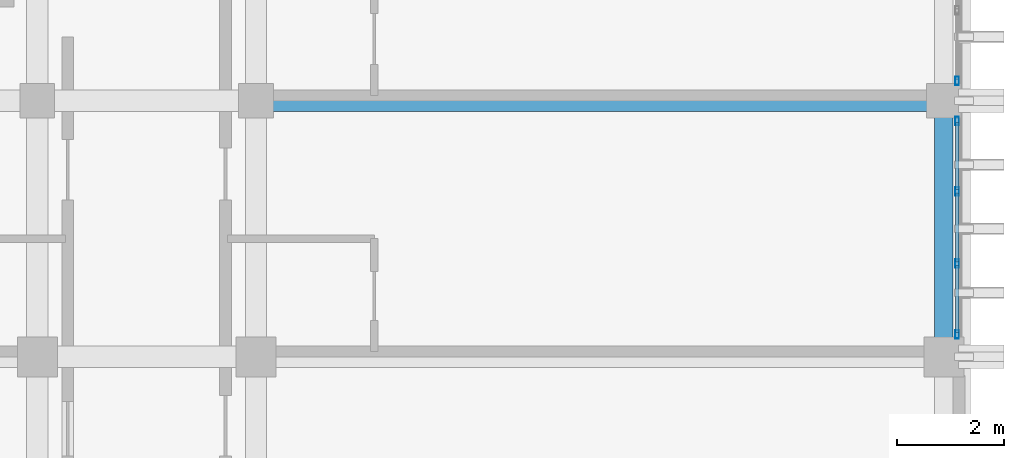
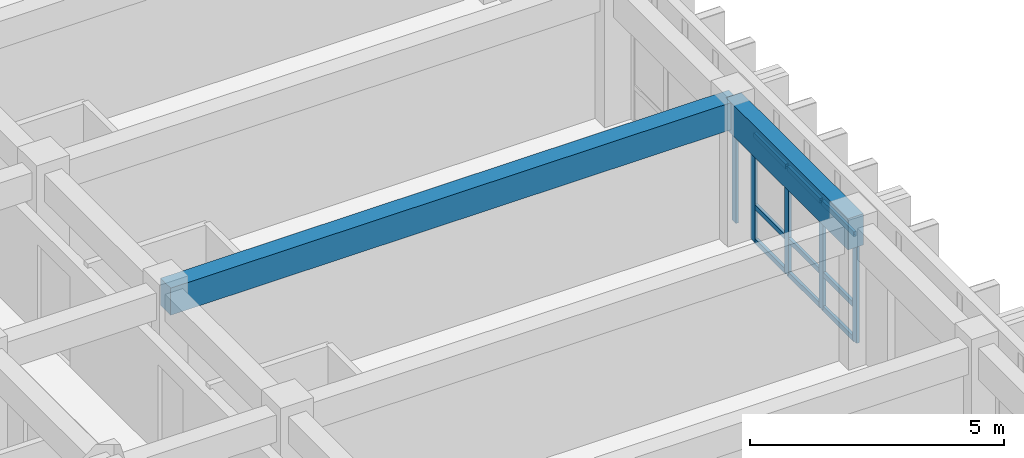
# One storey, part 22 of 64: 14 members, 2 beams, 2 elements without a shape of their own.
"""IFC4 building model written with IfcOpenShell, lengths in metres."""

from ifc_helpers import new_model, si_unit, direction, frame, origin, origin_2d, place, context, subcontext, project, spatial, rectangle, hollow_rectangle, extrude, material, layer, layer_set, material_profile, profile_set, type_object, element, aggregate, save


model = new_model("IFC4")

# Units and contexts
model_context = context("Model", 3, precision=1e-05, world=origin(), true_north=direction((0.0, 1.0)))
body_context = subcontext(model_context, "Body", "Model", "MODEL_VIEW")
ifc_project = project(units=[si_unit("LENGTHUNIT", "METRE"), si_unit("AREAUNIT", "SQUARE_METRE"), si_unit("VOLUMEUNIT", "CUBIC_METRE"), si_unit("PLANEANGLEUNIT", "RADIAN"), si_unit("MASSUNIT", "GRAM", prefix="KILO")], contexts=[model_context])

# Site, building, storey
site_placement = place(None, origin())
site = spatial("IfcSite", under=ifc_project, at=site_placement, CompositionType="ELEMENT")
building_placement = place(site_placement, origin())
building = spatial("IfcBuilding", under=site, at=building_placement, Name="Nakhvara Creek Congress Hotel", CompositionType="ELEMENT")
storey_placement = place(building_placement, frame((0.0, 0.0, 28.199951171875)))
storey = spatial("IfcBuildingStorey", under=building, at=storey_placement, Name="L06", CompositionType="ELEMENT", Elevation=28.199951171875)

# Beams
ifc_material_1 = material(Name="Concrete C40/50", Category="concrete")
ifc_material_profile_1 = material_profile(ifc_material_1, rectangle(XDim=0.39990234375, YDim=0.64990234375, at=origin_2d()), Name="RC-BM 400x650", Category="LoadBearing")
ifc_profile_set_1 = profile_set([ifc_material_profile_1], Name="Concrete C40/50")
beam_type_1 = type_object("IfcBeamType", Name="BM-RC-400X650", PredefinedType="BEAM", material=ifc_profile_set_1)
beam_1_placement = place(storey_placement, frame((166.449951171875, 72.0, 3.01513671875), z_axis=(1.0, 0.0, 0.0), x_axis=(0.0, 1.0, 0.0)))
element("IfcBeam", 1, at=beam_1_placement, inside=storey, type_object=beam_type_1, Name="Beam B06-L06-2312", PredefinedType="BEAM", context=body_context, shape_type="SweptSolid", body=[
    extrude(rectangle(XDim=0.39990234375, YDim=0.64990234375, at=origin_2d()), origin(), (0.0, 0.0, 1.0), 12.900146484375),
])
ifc_material_profile_2 = material_profile(ifc_material_1, rectangle(XDim=0.35009765625, YDim=0.75, at=origin_2d()), Name="RC-SPANDREL 350x750", Category="LoadBearing")
ifc_profile_set_2 = profile_set([ifc_material_profile_2], Name="Concrete C40/50")
beam_type_2 = type_object("IfcBeamType", Name="BM-SPN-350X750", PredefinedType="SPANDREL", material=ifc_profile_set_2)
beam_2_placement = place(storey_placement, frame((179.35009765625, 67.199951171875, 2.965087890625), z_axis=(0.0, 1.0, 0.0), x_axis=(-1.0, 0.0, 0.0)))
element("IfcBeam", 2, at=beam_2_placement, inside=storey, type_object=beam_type_2, Name="Beam SP1-L06-2281", PredefinedType="SPANDREL", context=body_context, shape_type="SweptSolid", body=[
    extrude(rectangle(XDim=0.35009765625, YDim=0.75, at=origin_2d()), origin(), (0.0, 0.0, 1.0), 4.800048828125),
])

# Curtain wall, members
ifc_material_2 = material(Name="Bronze-anodised aluminium AW-6063-T6 and double-silver low-E glass", Category="aluminium")
ifc_layer = layer(ifc_material_2, 0.199951171875)
ifc_layer_set = layer_set([ifc_layer], Name="Bronze-anodised aluminium AW-6063-T6 and double-silver low-E glass")
curtain_wall_type = type_object("IfcCurtainWallType", Name="CW-HTL-UNIT", PredefinedType="USERDEFINED", material=ifc_layer_set)
curtain_wall_1_placement = place(storey_placement, origin())
curtain_wall_1 = element("IfcCurtainWall", 3, at=curtain_wall_1_placement, inside=storey, type_object=curtain_wall_type, Name="Curtain Wall CW237", ObjectType="UNITISED", PredefinedType="USERDEFINED")
ifc_material_3 = material(Name="Bronze-anodised aluminium AW-6063-T6", Category="aluminium")
ifc_material_profile_3 = material_profile(ifc_material_3, hollow_rectangle(XDim=0.06494140625, YDim=0.159912109375, WallThickness=0.00390625, at=origin_2d()), Name="ALU-MULL 65x160x4", Category="LoadBearing")
ifc_profile_set_3 = profile_set([ifc_material_profile_3], Name="Bronze-anodised aluminium AW-6063-T6")
member_type_1 = type_object("IfcMemberType", Name="CW-MULL-160", PredefinedType="MULLION", material=ifc_profile_set_3)
member_1_placement = place(storey_placement, frame((179.60009765625, 71.62744140625, 0.0), z_axis=(0.0, 0.0, 1.0), x_axis=(1.0, 0.0, 0.0)))
member_1 = element("IfcMember", 4, at=member_1_placement, type_object=member_type_1, Name="CW237 mullion 1", PredefinedType="MULLION", context=body_context, shape_type="SweptSolid", body=[
    extrude(hollow_rectangle(XDim=0.06494140625, YDim=0.159912109375, WallThickness=0.00390625, at=origin_2d()), origin(), (0.0, 0.0, 1.0), 2.58203125),
])
member_2_placement = place(storey_placement, frame((179.60009765625, 70.30322265625, 0.0), z_axis=(0.0, 0.0, 1.0), x_axis=(1.0, 0.0, 0.0)))
member_2 = element("IfcMember", 5, at=member_2_placement, type_object=member_type_1, Name="CW237 mullion 2", PredefinedType="MULLION", context=body_context, shape_type="SweptSolid", body=[
    extrude(hollow_rectangle(XDim=0.06494140625, YDim=0.159912109375, WallThickness=0.00390625, at=origin_2d()), origin(), (0.0, 0.0, 1.0), 2.58203125),
])
member_3_placement = place(storey_placement, frame((179.60009765625, 68.94677734375, 0.0), z_axis=(0.0, 0.0, 1.0), x_axis=(1.0, 0.0, 0.0)))
member_3 = element("IfcMember", 6, at=member_3_placement, type_object=member_type_1, Name="CW237 mullion 3", PredefinedType="MULLION", context=body_context, shape_type="SweptSolid", body=[
    extrude(hollow_rectangle(XDim=0.06494140625, YDim=0.159912109375, WallThickness=0.00390625, at=origin_2d()), origin(), (0.0, 0.0, 1.0), 2.58203125),
])
member_4_placement = place(storey_placement, frame((179.60009765625, 67.62255859375, 0.0), z_axis=(0.0, 0.0, 1.0), x_axis=(1.0, 0.0, 0.0)))
member_4 = element("IfcMember", 7, at=member_4_placement, type_object=member_type_1, Name="CW237 mullion 4", PredefinedType="MULLION", context=body_context, shape_type="SweptSolid", body=[
    extrude(hollow_rectangle(XDim=0.06494140625, YDim=0.159912109375, WallThickness=0.00390625, at=origin_2d()), origin(), (0.0, 0.0, 1.0), 2.58203125),
])

# Curtain wall, member
curtain_wall_2_placement = place(storey_placement, origin())
curtain_wall_2 = element("IfcCurtainWall", 8, at=curtain_wall_2_placement, inside=storey, type_object=curtain_wall_type, Name="Curtain Wall CW239", ObjectType="UNITISED", PredefinedType="USERDEFINED")
member_5_placement = place(storey_placement, frame((179.60009765625, 72.37255859375, 0.0), z_axis=(0.0, 0.0, 1.0), x_axis=(1.0, 0.0, 0.0)))
member_5 = element("IfcMember", 9, at=member_5_placement, type_object=member_type_1, Name="CW239 mullion 4", PredefinedType="MULLION", context=body_context, shape_type="SweptSolid", body=[
    extrude(hollow_rectangle(XDim=0.06494140625, YDim=0.159912109375, WallThickness=0.00390625, at=origin_2d()), origin(), (0.0, 0.0, 1.0), 2.58203125),
])
aggregate(curtain_wall_2, [member_5])

# Member
ifc_material_profile_4 = material_profile(ifc_material_3, hollow_rectangle(XDim=0.06494140625, YDim=0.1201171875, WallThickness=0.00390625, at=origin_2d()), Name="ALU-TRAN 65x120x4", Category="LoadBearing")
ifc_profile_set_4 = profile_set([ifc_material_profile_4], Name="Bronze-anodised aluminium AW-6063-T6")
member_type_2 = type_object("IfcMemberType", Name="CW-TRAN-120", PredefinedType="USERDEFINED", material=ifc_profile_set_4)
member_6_placement = place(storey_placement, frame((179.60009765625, 71.594970703125, 0.032470703125), z_axis=(0.0, -1.0, 0.0), x_axis=(1.0, 0.0, 0.0)))
member_6 = element("IfcMember", 10, at=member_6_placement, type_object=member_type_2, Name="CW237 transom 1.1", ObjectType="TRANSOM", PredefinedType="USERDEFINED", context=body_context, shape_type="SweptSolid", body=[
    extrude(hollow_rectangle(XDim=0.06494140625, YDim=0.1201171875, WallThickness=0.00390625, at=origin_2d()), origin(), (0.0, 0.0, 1.0), 1.259033203125),
])

member_7_placement = place(storey_placement, frame((179.60009765625, 71.594970703125, 0.85009765625), z_axis=(0.0, -1.0, 0.0), x_axis=(1.0, 0.0, 0.0)))
member_7 = element("IfcMember", 11, at=member_7_placement, type_object=member_type_2, Name="CW237 transom 1.2", ObjectType="TRANSOM", PredefinedType="USERDEFINED", context=body_context, shape_type="SweptSolid", body=[
    extrude(hollow_rectangle(XDim=0.06494140625, YDim=0.1201171875, WallThickness=0.00390625, at=origin_2d()), origin(), (0.0, 0.0, 1.0), 1.259033203125),
])

member_8_placement = place(storey_placement, frame((179.60009765625, 71.594970703125, 2.549560546875), z_axis=(0.0, -1.0, 0.0), x_axis=(1.0, 0.0, 0.0)))
member_8 = element("IfcMember", 12, at=member_8_placement, type_object=member_type_2, Name="CW237 transom 1.3", ObjectType="TRANSOM", PredefinedType="USERDEFINED", context=body_context, shape_type="SweptSolid", body=[
    extrude(hollow_rectangle(XDim=0.06494140625, YDim=0.1201171875, WallThickness=0.00390625, at=origin_2d()), origin(), (0.0, 0.0, 1.0), 1.259033203125),
])

member_9_placement = place(storey_placement, frame((179.60009765625, 70.270751953125, 0.032470703125), z_axis=(0.0, -1.0, 0.0), x_axis=(1.0, 0.0, 0.0)))
member_9 = element("IfcMember", 13, at=member_9_placement, type_object=member_type_2, Name="CW237 transom 2.1", ObjectType="TRANSOM", PredefinedType="USERDEFINED", context=body_context, shape_type="SweptSolid", body=[
    extrude(hollow_rectangle(XDim=0.06494140625, YDim=0.1201171875, WallThickness=0.00390625, at=origin_2d()), origin(), (0.0, 0.0, 1.0), 1.29150390625),
])

member_10_placement = place(storey_placement, frame((179.60009765625, 70.270751953125, 0.85009765625), z_axis=(0.0, -1.0, 0.0), x_axis=(1.0, 0.0, 0.0)))
member_10 = element("IfcMember", 14, at=member_10_placement, type_object=member_type_2, Name="CW237 transom 2.2", ObjectType="TRANSOM", PredefinedType="USERDEFINED", context=body_context, shape_type="SweptSolid", body=[
    extrude(hollow_rectangle(XDim=0.06494140625, YDim=0.1201171875, WallThickness=0.00390625, at=origin_2d()), origin(), (0.0, 0.0, 1.0), 1.29150390625),
])

member_11_placement = place(storey_placement, frame((179.60009765625, 70.270751953125, 2.549560546875), z_axis=(0.0, -1.0, 0.0), x_axis=(1.0, 0.0, 0.0)))
member_11 = element("IfcMember", 15, at=member_11_placement, type_object=member_type_2, Name="CW237 transom 2.3", ObjectType="TRANSOM", PredefinedType="USERDEFINED", context=body_context, shape_type="SweptSolid", body=[
    extrude(hollow_rectangle(XDim=0.06494140625, YDim=0.1201171875, WallThickness=0.00390625, at=origin_2d()), origin(), (0.0, 0.0, 1.0), 1.29150390625),
])

member_12_placement = place(storey_placement, frame((179.60009765625, 68.9140625, 0.032470703125), z_axis=(0.0, -1.0, 0.0), x_axis=(1.0, 0.0, 0.0)))
member_12 = element("IfcMember", 16, at=member_12_placement, type_object=member_type_2, Name="CW237 transom 3.1", ObjectType="TRANSOM", PredefinedType="USERDEFINED", context=body_context, shape_type="SweptSolid", body=[
    extrude(hollow_rectangle(XDim=0.06494140625, YDim=0.1201171875, WallThickness=0.00390625, at=origin_2d()), origin(), (0.0, 0.0, 1.0), 1.259033203125),
])

member_13_placement = place(storey_placement, frame((179.60009765625, 68.9140625, 0.85009765625), z_axis=(0.0, -1.0, 0.0), x_axis=(1.0, 0.0, 0.0)))
member_13 = element("IfcMember", 17, at=member_13_placement, type_object=member_type_2, Name="CW237 transom 3.2", ObjectType="TRANSOM", PredefinedType="USERDEFINED", context=body_context, shape_type="SweptSolid", body=[
    extrude(hollow_rectangle(XDim=0.06494140625, YDim=0.1201171875, WallThickness=0.00390625, at=origin_2d()), origin(), (0.0, 0.0, 1.0), 1.259033203125),
])

member_14_placement = place(storey_placement, frame((179.60009765625, 68.9140625, 2.549560546875), z_axis=(0.0, -1.0, 0.0), x_axis=(1.0, 0.0, 0.0)))
member_14 = element("IfcMember", 18, at=member_14_placement, type_object=member_type_2, Name="CW237 transom 3.3", ObjectType="TRANSOM", PredefinedType="USERDEFINED", context=body_context, shape_type="SweptSolid", body=[
    extrude(hollow_rectangle(XDim=0.06494140625, YDim=0.1201171875, WallThickness=0.00390625, at=origin_2d()), origin(), (0.0, 0.0, 1.0), 1.259033203125),
])

aggregate(curtain_wall_1, [member_1, member_2, member_3, member_4, member_6, member_7, member_8, member_9, member_10, member_11, member_12, member_13, member_14])

save(model, "model.ifc")
